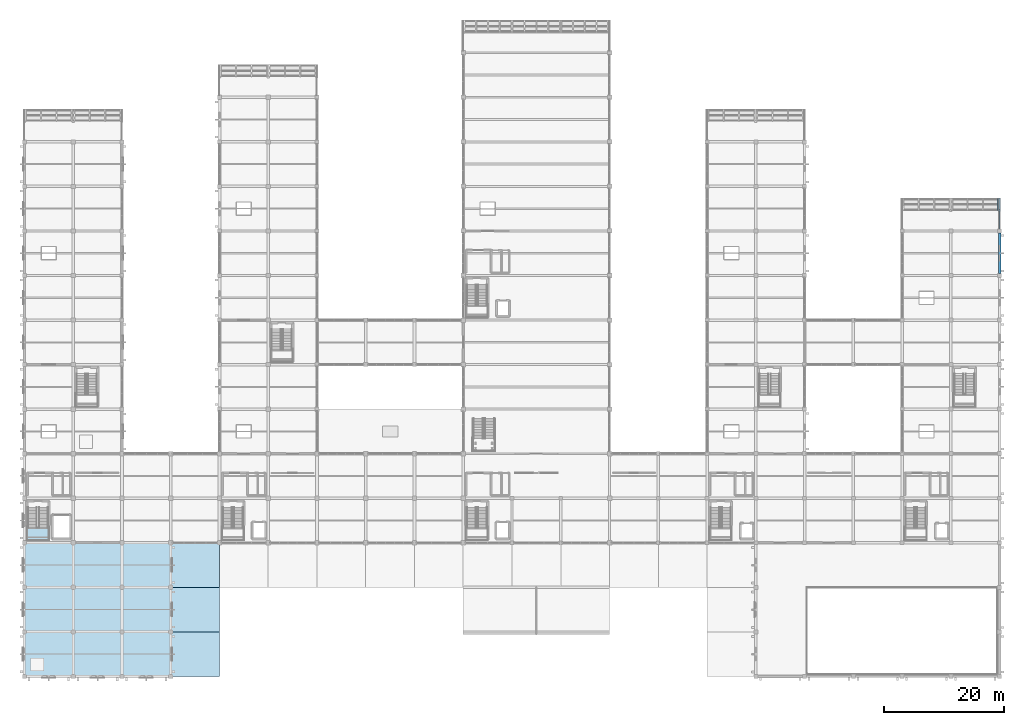
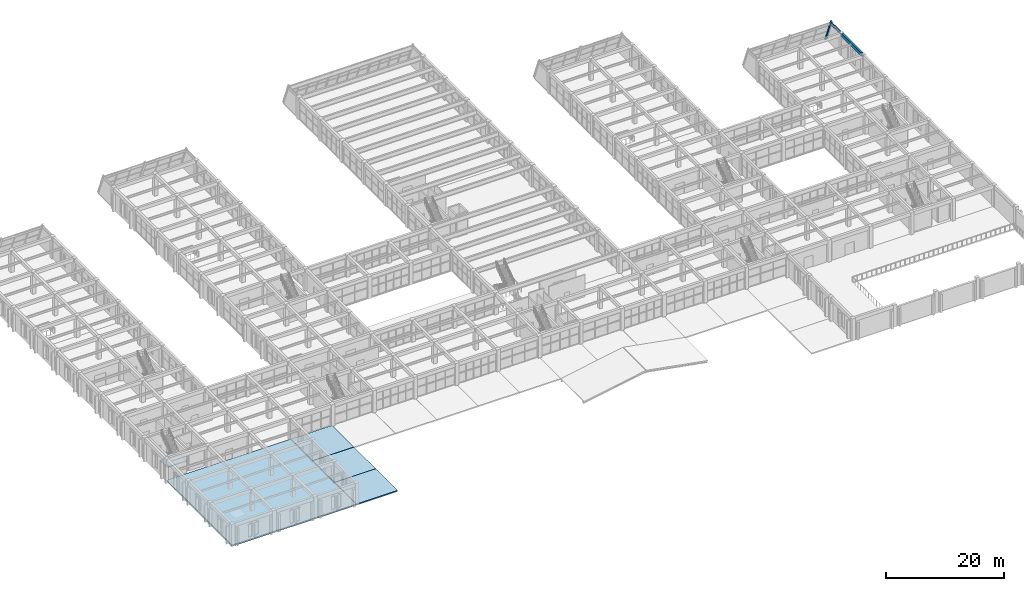
# One storey, part 129 of 161: 5 slabs, 2 beams, 2 members, 2 elements without a shape of their own.
"""IFC4 building model written with IfcOpenShell, lengths in metres."""

from ifc_helpers import new_model, si_unit, direction, frame, origin, origin_2d, place, context, subcontext, project, spatial, polyline, rectangle, hollow_rectangle, i_section, outline, extrude, material, layer, layer_set, material_profile, profile_set, type_object, element, aggregate, save


model = new_model("IFC4")

# Units and contexts
model_context = context("Model", 3, precision=1e-05, world=origin(), true_north=direction((0.0, 1.0)))
body_context = subcontext(model_context, "Body", "Model", "MODEL_VIEW")
ifc_project = project(units=[si_unit("LENGTHUNIT", "METRE"), si_unit("AREAUNIT", "SQUARE_METRE"), si_unit("VOLUMEUNIT", "CUBIC_METRE"), si_unit("PLANEANGLEUNIT", "RADIAN"), si_unit("MASSUNIT", "GRAM", prefix="KILO")], contexts=[model_context])

# Site, building, storey
site_placement = place(None, origin())
site = spatial("IfcSite", under=ifc_project, at=site_placement, CompositionType="ELEMENT")
building_placement = place(site_placement, origin())
building = spatial("IfcBuilding", under=site, at=building_placement, Name="Cimatlan Art Gallery", CompositionType="ELEMENT")
storey_placement = place(building_placement, frame((0.0, 0.0, 5.39990234375)))
storey = spatial("IfcBuildingStorey", under=building, at=storey_placement, Name="L01", CompositionType="ELEMENT", Elevation=5.39990234375)

# Beams
ifc_material_1 = material(Name="Concrete C40/50", Category="concrete")
ifc_material_profile_1 = material_profile(ifc_material_1, rectangle(XDim=0.39990234375, YDim=0.699951171875, at=origin_2d()), Name="RC400X700")
ifc_profile_set_1 = profile_set([ifc_material_profile_1], Name="Concrete C40/50")
beam_type_1 = type_object("IfcBeamType", Name="BM-RC-400X700", PredefinedType="BEAM", material=ifc_profile_set_1)
beam_1_placement = place(storey_placement, frame((164.0, 68.625, 4.210205078125), z_axis=(0.0, 1.0, 0.0), x_axis=(-1.0, 0.0, 0.0)))
element("IfcBeam", 1, at=beam_1_placement, inside=storey, type_object=beam_type_1, Name="BM-Y-L01-20-09", PredefinedType="BEAM", context=body_context, shape_type="SweptSolid", body=[
    extrude(rectangle(XDim=0.39990234375, YDim=0.699951171875, at=origin_2d()), origin(), (0.0, 0.0, 1.0), 6.75),
])
ifc_material_2 = material(Name="Steel ASTM A992 Grade 50", Category="steel")
ifc_material_profile_2 = material_profile(ifc_material_2, i_section(OverallWidth=0.2099609375, OverallDepth=0.532958984375, WebThickness=0.01025390625, FlangeThickness=0.015625, at=origin_2d()), Name="W21X62")
ifc_profile_set_2 = profile_set([ifc_material_profile_2], Name="Steel ASTM A992 Grade 50")
beam_type_2 = type_object("IfcBeamType", Name="BM-STL-W21X62", PredefinedType="BEAM", material=ifc_profile_set_2)
beam_2_placement = place(storey_placement, frame((164.0, 76.02490234375, 4.293701171875), z_axis=(0.0, 1.0, 0.0), x_axis=(-1.0, 0.0, 0.0)))
element("IfcBeam", 2, at=beam_2_placement, inside=storey, type_object=beam_type_2, Name="BM-PRW-Y-L01-B5-20", PredefinedType="BEAM", context=body_context, shape_type="SweptSolid", body=[
    extrude(i_section(OverallWidth=0.2099609375, OverallDepth=0.532958984375, WebThickness=0.01025390625, FlangeThickness=0.015625, at=origin_2d()), origin(), (0.0, 0.0, 1.0), 2.9619140625),
])

# Curtain wall, member
ifc_material_3 = material(Name="Raked steel-and-bronze lancet curtain wall", Category="steel")
curtain_wall_type = type_object("IfcCurtainWallType", Name="CW-RAK-07660X04901-B3", PredefinedType="NOTDEFINED", material=ifc_material_3)
curtain_wall_placement = place(storey_placement, origin())
curtain_wall = element("IfcCurtainWall", 3, at=curtain_wall_placement, inside=storey, type_object=curtain_wall_type, Name="CW-PROW-L01-B5-19", PredefinedType="NOTDEFINED")
ifc_material_4 = material(Name="Steel ASTM A500 Grade C", Category="steel")
ifc_material_profile_3 = material_profile(ifc_material_4, hollow_rectangle(XDim=0.1201171875, YDim=0.1201171875, WallThickness=0.00634765625, at=origin_2d()), Name="HSS120X120X6")
ifc_profile_set_3 = profile_set([ifc_material_profile_3], Name="Steel ASTM A500 Grade C")
member_type_1 = type_object("IfcMemberType", Name="CW-MUL-RAK", PredefinedType="MULLION", material=ifc_profile_set_3)
member_1_placement = place(storey_placement, frame((163.780029296875, 80.972900390625, 0.0), z_axis=(0.0, -0.366481396036, 0.930425379254), x_axis=(1.0, 0.0, 0.0)))
member_1 = element("IfcMember", 4, at=member_1_placement, type_object=member_type_1, Name="CW-PROW-L01-B5-19-M4", PredefinedType="MULLION", context=body_context, shape_type="SweptSolid", body=[
    extrude(hollow_rectangle(XDim=0.1201171875, YDim=0.1201171875, WallThickness=0.00634765625, at=origin_2d()), origin(), (0.0, 0.0, 1.0), 4.901123046875),
])
aggregate(curtain_wall, [member_1])

# Member
ifc_material_profile_4 = material_profile(ifc_material_2, i_section(OverallWidth=0.37109375, OverallDepth=0.364013671875, WebThickness=0.01318359375, FlangeThickness=0.021728515625, at=origin_2d()), Name="W14X109")
ifc_profile_set_4 = profile_set([ifc_material_profile_4], Name="Steel ASTM A992 Grade 50")
member_type_2 = type_object("IfcMemberType", Name="MBR-RAK-W14X109", PredefinedType="RAFTER", material=ifc_profile_set_4)
member_2_placement = place(storey_placement, frame((164.0, 80.972900390625, 0.0), z_axis=(0.0, -0.366514587358, 0.930412304978), x_axis=(1.0, 0.0, 0.0)))
element("IfcMember", 5, at=member_2_placement, inside=storey, type_object=member_type_2, Name="MBR-RAK-L01-B5-20", PredefinedType="RAFTER", context=body_context, shape_type="SweptSolid", body=[
    extrude(i_section(OverallWidth=0.37109375, OverallDepth=0.364013671875, WebThickness=0.01318359375, FlangeThickness=0.021728515625, at=origin_2d()), origin(), (0.0, 0.0, 1.0), 5.158935546875),
])

# Slabs
ifc_material_5 = material(Name="Concrete C35/45", Category="concrete")
ifc_layer_1 = layer(ifc_material_5, 0.264892578125)
ifc_layer_set_1 = layer_set([ifc_layer_1], Name="Concrete C35/45")
slab_type_1 = type_object("IfcSlabType", Name="SLB-FLR-L01", PredefinedType="FLOOR", material=ifc_layer_set_1)
slab_1_placement = place(storey_placement, frame((0.0, 0.0, -0.264892578125)))
element("IfcSlab", 6, at=slab_1_placement, inside=storey, type_object=slab_type_1, Name="SLB-L01-SW1", PredefinedType="FLOOR", context=body_context, shape_type="SweptSolid", body=[
    extrude(outline(polyline([(2.0, 1.699951171875), (26.300048828125, 1.699951171875), (26.300048828125, 23.89990234375), (2.0, 23.89990234375), (2.0, 1.699951171875)])), origin(), (0.0, 0.0, 1.0), 0.264892578125),
])
ifc_layer_2 = layer(ifc_material_5, 0.239990234375)
ifc_layer_set_2 = layer_set([ifc_layer_2], Name="Concrete C35/45")
slab_type_2 = type_object("IfcSlabType", Name="SLB-ROOF-CAN-185", PredefinedType="ROOF", material=ifc_layer_set_2)
slab_2_placement = place(storey_placement, frame((0.0, 0.0, -0.239990234375)))
element("IfcSlab", 7, at=slab_2_placement, inside=storey, type_object=slab_type_2, Name="SLB-COL-RF-01", PredefinedType="ROOF", context=body_context, shape_type="SweptSolid", body=[
    extrude(outline(polyline([(26.304931640625, 1.705078125), (34.39501953125, 1.705078125), (34.39501953125, 9.094970703125), (26.304931640625, 9.094970703125), (26.304931640625, 1.705078125)])), origin(), (0.0, 0.0, 1.0), 0.239990234375),
])
slab_3_placement = place(storey_placement, frame((0.0, 0.0, -0.239990234375)))
element("IfcSlab", 8, at=slab_3_placement, inside=storey, type_object=slab_type_2, Name="SLB-COL-RF-03", PredefinedType="ROOF", context=body_context, shape_type="SweptSolid", body=[
    extrude(outline(polyline([(26.304931640625, 9.10498046875), (34.39501953125, 9.10498046875), (34.39501953125, 16.4951171875), (26.304931640625, 16.4951171875), (26.304931640625, 9.10498046875)])), origin(), (0.0, 0.0, 1.0), 0.239990234375),
])
slab_4_placement = place(storey_placement, frame((0.0, 0.0, -0.239990234375)))
element("IfcSlab", 9, at=slab_4_placement, inside=storey, type_object=slab_type_2, Name="SLB-COL-RF-05", PredefinedType="ROOF", context=body_context, shape_type="SweptSolid", body=[
    extrude(outline(polyline([(26.304931640625, 16.5048828125), (34.39501953125, 16.5048828125), (34.39501953125, 23.89501953125), (26.304931640625, 23.89501953125), (26.304931640625, 16.5048828125)])), origin(), (0.0, 0.0, 1.0), 0.239990234375),
])

# Stair, slab
stair_type = type_object("IfcStairType", Name="STR-HALF-155-480", PredefinedType="HALF_TURN_STAIR", material=ifc_material_5)
stair_placement = place(storey_placement, origin())
stair = element("IfcStair", 10, at=stair_placement, inside=storey, type_object=stair_type, Name="STR-C1-L01", PredefinedType="HALF_TURN_STAIR")
ifc_layer_3 = layer(ifc_material_5, 0.219970703125)
ifc_layer_set_3 = layer_set([ifc_layer_3], Name="Concrete C35/45")
slab_type_3 = type_object("IfcSlabType", Name="SLB-STAIR-LAND-220", PredefinedType="LANDING", material=ifc_layer_set_3)
slab_5_placement = place(storey_placement, frame((0.0, 0.0, 2.18017578125)))
slab_5 = element("IfcSlab", 11, at=slab_5_placement, type_object=slab_type_3, Name="STR-C1-L01-LND", PredefinedType="LANDING", context=body_context, shape_type="SweptSolid", body=[
    extrude(outline(polyline([(2.35009765625, 24.25), (6.139892578125, 24.25), (6.139892578125, 26.550048828125), (2.35009765625, 26.550048828125), (2.35009765625, 24.25)])), origin(), (0.0, 0.0, 1.0), 0.219970703125),
])
aggregate(stair, [slab_5])

save(model, "model.ifc")
